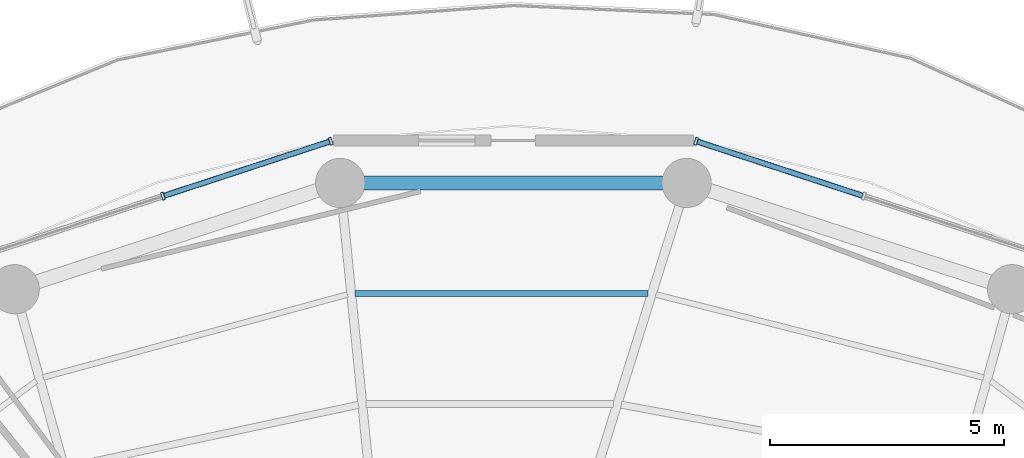
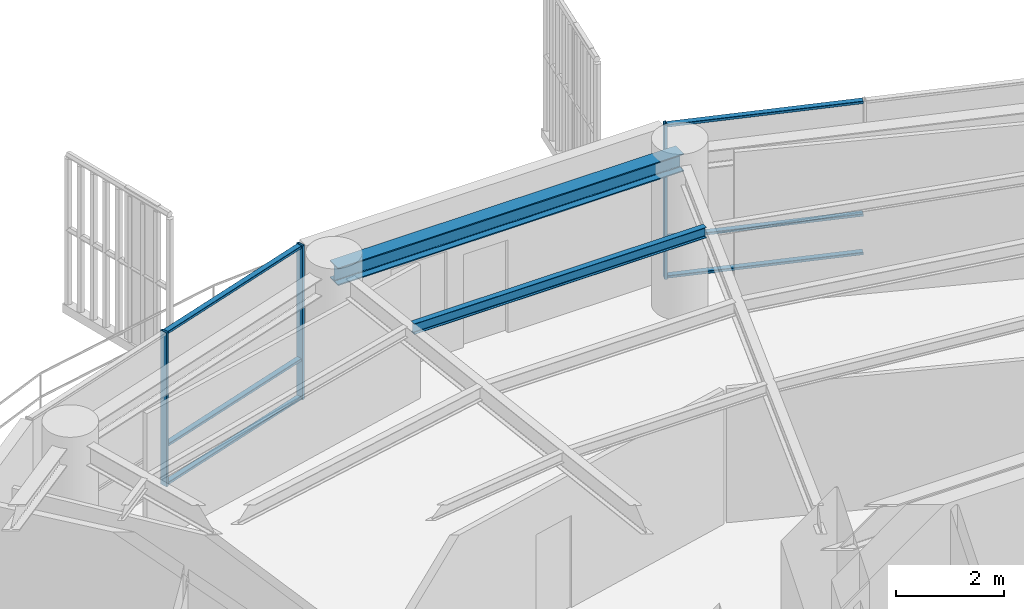
# One storey, part 19 of 30: 9 members, 2 beams, 2 elements without a shape of their own.
"""IFC4 building model written with IfcOpenShell, lengths in metres."""

from ifc_helpers import new_model, si_unit, direction, frame, origin, origin_2d, place, context, subcontext, project, spatial, hollow_rectangle, i_section, extrude, material, layer, layer_set, material_profile, profile_set, type_object, element, aggregate, save


model = new_model("IFC4")

# Units and contexts
model_context = context("Model", 3, precision=1e-05, world=origin(), true_north=direction((0.0, 1.0)))
body_context = subcontext(model_context, "Body", "Model", "MODEL_VIEW")
ifc_project = project(units=[si_unit("LENGTHUNIT", "METRE"), si_unit("AREAUNIT", "SQUARE_METRE"), si_unit("VOLUMEUNIT", "CUBIC_METRE"), si_unit("PLANEANGLEUNIT", "RADIAN"), si_unit("MASSUNIT", "GRAM", prefix="KILO")], contexts=[model_context])

# Site, building, storey
site_placement = place(None, origin())
site = spatial("IfcSite", under=ifc_project, at=site_placement, CompositionType="ELEMENT")
building_placement = place(site_placement, origin())
building = spatial("IfcBuilding", under=site, at=building_placement, Name="Kelanora Arch Commons", CompositionType="ELEMENT")
storey_placement = place(building_placement, frame((0.0, 0.0, 211.949951171875)))
storey = spatial("IfcBuildingStorey", under=building, at=storey_placement, Name="L54", CompositionType="ELEMENT", Elevation=211.949951171875)

# Beams
ifc_material_1 = material(Name="Steel S355", Category="steel")
ifc_material_profile_1 = material_profile(ifc_material_1, i_section(OverallWidth=0.1201171875, OverallDepth=0.239990234375, WebThickness=0.006103515625, FlangeThickness=0.009765625, FilletRadius=0.014892578125, at=origin_2d()), Name="IPE240")
ifc_profile_set_1 = profile_set([ifc_material_profile_1], Name="Steel S355")
beam_type_1 = type_object("IfcBeamType", Name="BM-JST-02", PredefinedType="JOIST", material=ifc_profile_set_1)
beam_1_placement = place(storey_placement, frame((76.87109375, 74.43212890625, 3.3701171875), z_axis=(-1.0, 0.0, 0.0), x_axis=(0.0, -1.0, 0.0)))
element("IfcBeam", 1, at=beam_1_placement, inside=storey, type_object=beam_type_1, Name="Secondary Chord Joist BJC-08 L54", PredefinedType="JOIST", context=body_context, shape_type="SweptSolid", body=[
    extrude(i_section(OverallWidth=0.1201171875, OverallDepth=0.239990234375, WebThickness=0.006103515625, FlangeThickness=0.009765625, FilletRadius=0.014892578125, at=origin_2d()), origin(), (0.0, 0.0, 1.0), 6.246337890625),
])
ifc_material_profile_2 = material_profile(ifc_material_1, i_section(OverallWidth=0.300048828125, OverallDepth=0.39990234375, WebThickness=0.013427734375, FlangeThickness=0.02392578125, FilletRadius=0.027099609375, at=origin_2d()), Name="HEB400")
ifc_profile_set_2 = profile_set([ifc_material_profile_2], Name="Steel S355")
beam_type_2 = type_object("IfcBeamType", Name="BM-SPN-Z4", PredefinedType="SPANDREL", material=ifc_profile_set_2)
beam_2_placement = place(storey_placement, frame((77.6953125, 76.7900390625, 3.2900390625), z_axis=(-1.0, 0.0, 0.0), x_axis=(0.0, -1.0, 0.0)))
element("IfcBeam", 2, at=beam_2_placement, inside=storey, type_object=beam_type_2, Name="Perimeter Spandrel Beam BS-08 L54", PredefinedType="SPANDREL", context=body_context, shape_type="SweptSolid", body=[
    extrude(i_section(OverallWidth=0.300048828125, OverallDepth=0.39990234375, WebThickness=0.013427734375, FlangeThickness=0.02392578125, FilletRadius=0.027099609375, at=origin_2d()), origin(), (0.0, 0.0, 1.0), 7.390625),
])

# Curtain wall, member
ifc_material_2 = material(Name="Terracotta ceramic-fritted low-E glass and aluminium", Category="masonry")
ifc_layer = layer(ifc_material_2, 0.175048828125)
ifc_layer_set = layer_set([ifc_layer], Name="Terracotta ceramic-fritted low-E glass and aluminium")
curtain_wall_type = type_object("IfcCurtainWallType", Name="CW-SYS-02", PredefinedType="NOTDEFINED", material=ifc_layer_set)
curtain_wall_1_placement = place(storey_placement, origin())
curtain_wall_1 = element("IfcCurtainWall", 3, at=curtain_wall_1_placement, inside=storey, type_object=curtain_wall_type, Name="Unitised Curtain Wall L54-B03", PredefinedType="NOTDEFINED")
ifc_material_3 = material(Name="Powder-coated aluminium terracotta", Category="masonry")
ifc_material_profile_3 = material_profile(ifc_material_3, hollow_rectangle(XDim=0.159912109375, YDim=0.06005859375, WallThickness=0.0048828125, InnerFilletRadius=0.0048828125, OuterFilletRadius=0.010009765625, at=origin_2d()), Name="CWM160x60")
ifc_profile_set_3 = profile_set([ifc_material_profile_3], Name="Powder-coated aluminium terracotta")
member_type_1 = type_object("IfcMemberType", Name="CWM-STD", PredefinedType="MULLION", material=ifc_profile_set_3)
member_1_placement = place(storey_placement, frame((77.897705078125, 77.68212890625, 0.0), z_axis=(0.0, 0.0, 1.0), x_axis=(-0.311582439059, -0.950219124029, 0.0)))
member_1 = element("IfcMember", 4, at=member_1_placement, type_object=member_type_1, Name="CW-02 mullion 3", PredefinedType="MULLION", context=body_context, shape_type="SweptSolid", body=[
    extrude(hollow_rectangle(XDim=0.159912109375, YDim=0.06005859375, WallThickness=0.0048828125, InnerFilletRadius=0.0048828125, OuterFilletRadius=0.010009765625, at=origin_2d()), origin(), (0.0, 0.0, 1.0), 3.47509765625),
])

# Curtain wall, members
curtain_wall_2_placement = place(storey_placement, origin())
curtain_wall_2 = element("IfcCurtainWall", 5, at=curtain_wall_2_placement, inside=storey, type_object=curtain_wall_type, Name="Unitised Curtain Wall L54-B05", PredefinedType="NOTDEFINED")
member_2_placement = place(storey_placement, frame((70.102294921875, 77.68212890625, 0.0), z_axis=(0.0, 0.0, 1.0), x_axis=(0.311582439059, -0.950219124029, 0.0)))
member_2 = element("IfcMember", 6, at=member_2_placement, type_object=member_type_1, Name="CW-02 mullion 1", PredefinedType="MULLION", context=body_context, shape_type="SweptSolid", body=[
    extrude(hollow_rectangle(XDim=0.159912109375, YDim=0.06005859375, WallThickness=0.0048828125, InnerFilletRadius=0.0048828125, OuterFilletRadius=0.010009765625, at=origin_2d()), origin(), (0.0, 0.0, 1.0), 3.47509765625),
])
member_3_placement = place(storey_placement, frame((66.5224609375, 76.50830078125, 0.0), z_axis=(0.0, 0.0, 1.0), x_axis=(0.311582439059, -0.950219124029, 0.0)))
member_3 = element("IfcMember", 7, at=member_3_placement, type_object=member_type_1, Name="CW-02 mullion 2", PredefinedType="MULLION", context=body_context, shape_type="SweptSolid", body=[
    extrude(hollow_rectangle(XDim=0.159912109375, YDim=0.06005859375, WallThickness=0.0048828125, InnerFilletRadius=0.0048828125, OuterFilletRadius=0.010009765625, at=origin_2d()), origin(), (0.0, 0.0, 1.0), 3.47509765625),
])

# Member
ifc_material_profile_4 = material_profile(ifc_material_3, hollow_rectangle(XDim=0.1201171875, YDim=0.06005859375, WallThickness=0.0048828125, InnerFilletRadius=0.0048828125, OuterFilletRadius=0.010009765625, at=origin_2d()), Name="CWT120x60")
ifc_profile_set_4 = profile_set([ifc_material_profile_4], Name="Powder-coated aluminium terracotta")
member_type_2 = type_object("IfcMemberType", Name="CWT-STD", PredefinedType="USERDEFINED", material=ifc_profile_set_4)
member_4_placement = place(storey_placement, frame((81.448974609375, 76.517578125, 0.030029296875), z_axis=(-0.950206527055, 0.311620852867, 0.0), x_axis=(-0.311620852867, -0.950206527055, 0.0)))
member_4 = element("IfcMember", 8, at=member_4_placement, type_object=member_type_2, Name="CW-02 transom 2.1", ObjectType="TRANSOM", PredefinedType="USERDEFINED", context=body_context, shape_type="SweptSolid", body=[
    extrude(hollow_rectangle(XDim=0.1201171875, YDim=0.06005859375, WallThickness=0.0048828125, InnerFilletRadius=0.0048828125, OuterFilletRadius=0.010009765625, at=origin_2d()), origin(), (0.0, 0.0, 1.0), 3.707275390625),
])

member_5_placement = place(storey_placement, frame((81.448974609375, 76.517578125, 0.900146484375), z_axis=(-0.950206527055, 0.311620852867, 0.0), x_axis=(-0.311620852867, -0.950206527055, 0.0)))
member_5 = element("IfcMember", 9, at=member_5_placement, type_object=member_type_2, Name="CW-02 transom 2.2", ObjectType="TRANSOM", PredefinedType="USERDEFINED", context=body_context, shape_type="SweptSolid", body=[
    extrude(hollow_rectangle(XDim=0.1201171875, YDim=0.06005859375, WallThickness=0.0048828125, InnerFilletRadius=0.0048828125, OuterFilletRadius=0.010009765625, at=origin_2d()), origin(), (0.0, 0.0, 1.0), 3.707275390625),
])

member_6_placement = place(storey_placement, frame((81.448974609375, 76.517578125, 3.445068359375), z_axis=(-0.950206527055, 0.311620852867, 0.0), x_axis=(-0.311620852867, -0.950206527055, 0.0)))
member_6 = element("IfcMember", 10, at=member_6_placement, type_object=member_type_2, Name="CW-02 transom 2.3", ObjectType="TRANSOM", PredefinedType="USERDEFINED", context=body_context, shape_type="SweptSolid", body=[
    extrude(hollow_rectangle(XDim=0.1201171875, YDim=0.06005859375, WallThickness=0.0048828125, InnerFilletRadius=0.0048828125, OuterFilletRadius=0.010009765625, at=origin_2d()), origin(), (0.0, 0.0, 1.0), 3.707275390625),
])

aggregate(curtain_wall_1, [member_1, member_4, member_5, member_6])

member_7_placement = place(storey_placement, frame((70.07373046875, 77.6728515625, 0.030029296875), z_axis=(-0.950206527055, -0.311620852867, 0.0), x_axis=(0.311620852867, -0.950206527055, 0.0)))
member_7 = element("IfcMember", 11, at=member_7_placement, type_object=member_type_2, Name="CW-02 transom 1.1", ObjectType="TRANSOM", PredefinedType="USERDEFINED", context=body_context, shape_type="SweptSolid", body=[
    extrude(hollow_rectangle(XDim=0.1201171875, YDim=0.06005859375, WallThickness=0.0048828125, InnerFilletRadius=0.0048828125, OuterFilletRadius=0.010009765625, at=origin_2d()), origin(), (0.0, 0.0, 1.0), 3.707275390625),
])

member_8_placement = place(storey_placement, frame((70.07373046875, 77.6728515625, 0.900146484375), z_axis=(-0.950206527055, -0.311620852867, 0.0), x_axis=(0.311620852867, -0.950206527055, 0.0)))
member_8 = element("IfcMember", 12, at=member_8_placement, type_object=member_type_2, Name="CW-02 transom 1.2", ObjectType="TRANSOM", PredefinedType="USERDEFINED", context=body_context, shape_type="SweptSolid", body=[
    extrude(hollow_rectangle(XDim=0.1201171875, YDim=0.06005859375, WallThickness=0.0048828125, InnerFilletRadius=0.0048828125, OuterFilletRadius=0.010009765625, at=origin_2d()), origin(), (0.0, 0.0, 1.0), 3.707275390625),
])

member_9_placement = place(storey_placement, frame((70.07373046875, 77.6728515625, 3.445068359375), z_axis=(-0.950206527055, -0.311620852867, 0.0), x_axis=(0.311620852867, -0.950206527055, 0.0)))
member_9 = element("IfcMember", 13, at=member_9_placement, type_object=member_type_2, Name="CW-02 transom 1.3", ObjectType="TRANSOM", PredefinedType="USERDEFINED", context=body_context, shape_type="SweptSolid", body=[
    extrude(hollow_rectangle(XDim=0.1201171875, YDim=0.06005859375, WallThickness=0.0048828125, InnerFilletRadius=0.0048828125, OuterFilletRadius=0.010009765625, at=origin_2d()), origin(), (0.0, 0.0, 1.0), 3.707275390625),
])

aggregate(curtain_wall_2, [member_2, member_3, member_7, member_8, member_9])

save(model, "model.ifc")
